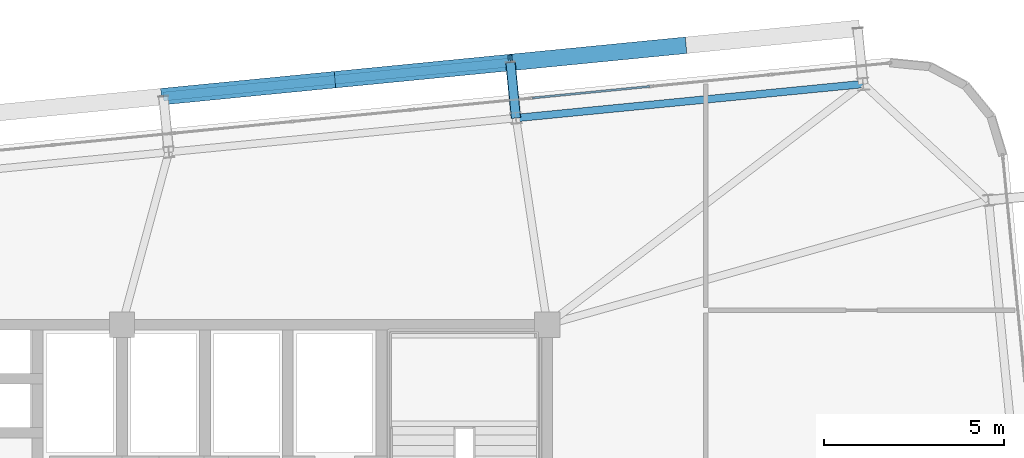
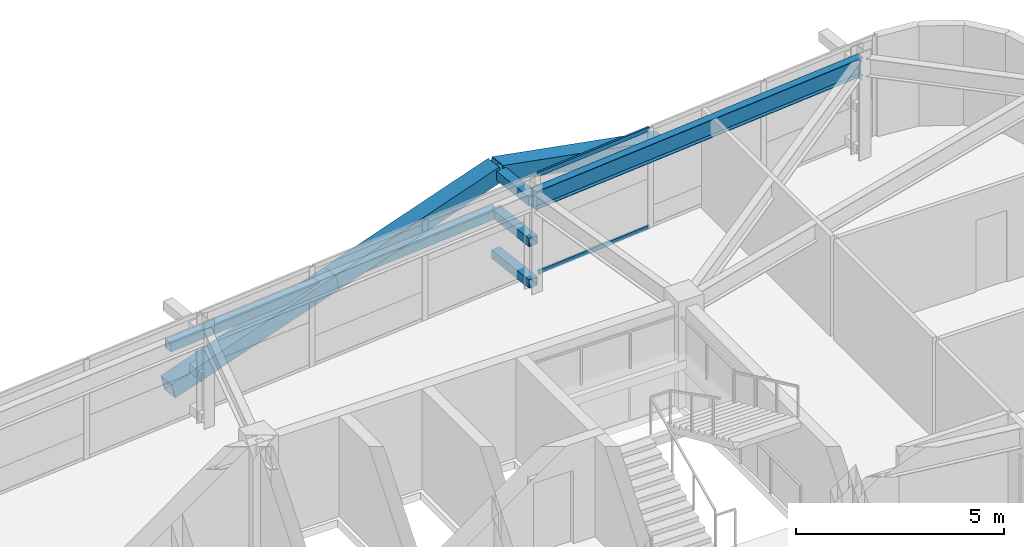
# One storey, part 32 of 53: 9 members, 1 beam, 1 element without a shape of its own.
"""IFC4 building model written with IfcOpenShell, lengths in metres."""

from ifc_helpers import new_model, si_unit, direction, frame, origin, origin_2d, place, context, subcontext, project, spatial, hollow_rectangle, i_section, extrude, source, transform, mapped, material, layer, layer_set, material_profile, profile_set, type_object, element, aggregate, save


model = new_model("IFC4")

# Units and contexts
model_context = context("Model", 3, precision=1e-05, world=origin(), true_north=direction((0.0, 1.0)))
body_context = subcontext(model_context, "Body", "Model", "MODEL_VIEW")
ifc_project = project(units=[si_unit("LENGTHUNIT", "METRE"), si_unit("AREAUNIT", "SQUARE_METRE"), si_unit("VOLUMEUNIT", "CUBIC_METRE"), si_unit("PLANEANGLEUNIT", "RADIAN"), si_unit("MASSUNIT", "GRAM", prefix="KILO")], contexts=[model_context])

# Site, building, storey
site_placement = place(None, origin())
site = spatial("IfcSite", under=ifc_project, at=site_placement, CompositionType="ELEMENT")
building_placement = place(site_placement, origin())
building = spatial("IfcBuilding", under=site, at=building_placement, Name="Taldren Reach Tower", CompositionType="ELEMENT")
storey_placement = place(building_placement, frame((0.0, 0.0, 71.39990234375)))
storey = spatial("IfcBuildingStorey", under=building, at=storey_placement, Name="L21", CompositionType="ELEMENT", Elevation=71.39990234375)

# Members
ifc_material_1 = material(Name="Steel Gr 450 (C450L0)", Category="steel")
ifc_material_profile_1 = material_profile(ifc_material_1, hollow_rectangle(XDim=0.27490234375, YDim=0.27490234375, WallThickness=0.00927734375, at=origin_2d()), Name="275x275x9.3SHS")
ifc_profile_set_1 = profile_set([ifc_material_profile_1], Name="Steel Gr 450 (C450L0)")
member_type_1 = type_object("IfcMemberType", Name="MB-TIE273", PredefinedType="STRUT", material=ifc_profile_set_1)
shared_shape_1 = source(origin(), body_context, "Body", "SweptSolid", [
    extrude(hollow_rectangle(XDim=0.27490234375, YDim=0.27490234375, WallThickness=0.00927734375, at=origin_2d()), origin(), (0.0, 0.0, 1.0), 1.5498046875),
])
member_1_placement = place(storey_placement, frame((50.132080078125, 37.7353515625, 2.650146484375), z_axis=(-0.097663201064, 0.995219523099, 0.0), x_axis=(-0.995219523099, -0.097663201064, 0.0)))
element("IfcMember", 1, at=member_1_placement, inside=storey, type_object=member_type_1, Name="Exoskeleton diaphragm tie strut B2-N5 L21", PredefinedType="STRUT", context=body_context, shape_type="MappedRepresentation", body=[
    mapped(shared_shape_1, transform((0.0, 0.0, 0.0), scale=1.0)),
])
ifc_material_2 = material(Name="Steel Gr 350 (C350L0)", Category="steel")
ifc_material_profile_2 = material_profile(ifc_material_2, hollow_rectangle(XDim=0.25, YDim=0.25, WallThickness=0.010009765625, at=origin_2d()), Name="250x250x10.0SHS")
ifc_profile_set_2 = profile_set([ifc_material_profile_2], Name="Steel Gr 350 (C350L0)")
member_type_2 = type_object("IfcMemberType", Name="MB-POST250", PredefinedType="POST", material=ifc_profile_set_2)
shared_shape_2 = source(origin(), body_context, "Body", "SweptSolid", [
    extrude(hollow_rectangle(XDim=0.25, YDim=0.25, WallThickness=0.010009765625, at=origin_2d()), origin(), (0.0, 0.0, 1.0), 1.5498046875),
])
for number, where, z_axis, x_axis, name in (
    (2, (50.132080078125, 37.7353515625, 0.22021484375), (-0.097663201064, 0.995219523099, 0.0), (-0.995219523099, -0.097663201064, 0.0), "Exoskeleton base diaphragm tie strut B2-N5 L21"),
    (3, (50.132080078125, 37.7353515625, 1.43505859375), (-0.097663201064, 0.995219523099, 0.0), (-0.995219523099, -0.097663201064, 0.0), "Exoskeleton mid-tier diaphragm tie B2-N5 L21"),
):
    element("IfcMember", number, at=place(storey_placement, frame(where, z_axis=z_axis, x_axis=x_axis)), inside=storey, type_object=member_type_2, Name=name, PredefinedType="POST", context=body_context, shape_type="MappedRepresentation", body=[
        mapped(shared_shape_2, transform((0.0, 0.0, 0.0), scale=1.0)),
    ])

# Beam
ifc_material_3 = material(Name="Steel Gr 350 (350PLUS)", Category="steel")
ifc_material_profile_3 = material_profile(ifc_material_3, i_section(OverallWidth=0.208984375, OverallDepth=0.528076171875, WebThickness=0.009521484375, FlangeThickness=0.01318359375, at=origin_2d()), Name="530UB82.0")
ifc_profile_set_3 = profile_set([ifc_material_profile_3], Name="Steel Gr 350 (350PLUS)")
beam_type = type_object("IfcBeamType", Name="SP-UB530B", PredefinedType="SPANDREL", material=ifc_profile_set_3)
shared_shape_3 = source(origin(), body_context, "Body", "SweptSolid", [
    extrude(i_section(OverallWidth=0.208984375, OverallDepth=0.528076171875, WebThickness=0.009521484375, FlangeThickness=0.01318359375, at=origin_2d()), origin(), (0.0, 0.0, 1.0), 9.679931640625),
])
beam_placement = place(storey_placement, frame((59.765869140625, 38.679931640625, 2.666015625), z_axis=(-0.995227612658, -0.097580730699, 0.0), x_axis=(0.097580730699, -0.995227612658, 0.0)))
element("IfcBeam", 4, at=beam_placement, inside=storey, type_object=beam_type, Name="Perimeter spandrel B2 N6-N5 L21", PredefinedType="SPANDREL", context=body_context, shape_type="MappedRepresentation", body=[
    mapped(shared_shape_3, transform((0.0, 0.0, 0.0), scale=1.0)),
])

# Members
ifc_material_profile_4 = material_profile(ifc_material_1, hollow_rectangle(XDim=0.4599609375, YDim=0.4599609375, WallThickness=0.01611328125, at=origin_2d()), Name="460x460x16.0SHS")
ifc_profile_set_4 = profile_set([ifc_material_profile_4], Name="Steel Gr 450 (C450L0)")
member_type_3 = type_object("IfcMemberType", Name="MB-EXO457", PredefinedType="BRACE", material=ifc_profile_set_4)
shared_shape_4 = source(origin(), body_context, "Body", "SweptSolid", [
    extrude(hollow_rectangle(XDim=0.4599609375, YDim=0.4599609375, WallThickness=0.01611328125, at=origin_2d()), origin(), (0.0, 0.0, 1.0), 4.990234375),
])
for number, where, z_axis, x_axis, name in (
    (5, (40.346923828125, 38.333251953125, 0.22021484375), (0.965282554799, 0.094669120301, 0.243448859234), (-0.097605711627, 0.995225162995, 0.0), "Exoskeleton Diagrid Brace B2-N4 L21"),
    (6, (45.163818359375, 38.8056640625, 1.43505859375), (0.965275526283, 0.094619506732, 0.243496010862), (-0.097555749586, 0.995230061706, 0.0), "Exoskeleton Diagrid Brace B2-N4 L21"),
    (7, (54.797607421875, 39.750244140625, 1.43505859375), (-0.965271056716, -0.094667992638, 0.243494883389), (0.097605711627, -0.995225162995, 0.0), "Exoskeleton Diagrid Brace B2-N5 L21"),
):
    element("IfcMember", number, at=place(storey_placement, frame(where, z_axis=z_axis, x_axis=x_axis)), inside=storey, type_object=member_type_3, Name=name, PredefinedType="BRACE", context=body_context, shape_type="MappedRepresentation", body=[
        mapped(shared_shape_4, transform((0.0, 0.0, 0.0), scale=1.0)),
    ])
shared_shape_5 = source(origin(), body_context, "Body", "SweptSolid", [
    extrude(hollow_rectangle(XDim=0.25, YDim=0.25, WallThickness=0.010009765625, at=origin_2d()), origin(), (0.0, 0.0, 1.0), 9.679931640625),
])
member_2_placement = place(storey_placement, frame((40.346923828125, 38.333251953125, 1.43505859375), z_axis=(0.995227612658, 0.097580730699, 0.0), x_axis=(-0.097580730699, 0.995227612658, 0.0)))
element("IfcMember", 8, at=member_2_placement, inside=storey, type_object=member_type_2, Name="Exoskeleton mid-height ring chord B2-N4 L21", PredefinedType="POST", context=body_context, shape_type="MappedRepresentation", body=[
    mapped(shared_shape_5, transform((0.0, 0.0, 0.0), scale=1.0)),
])

# Curtain wall, members
ifc_material_4 = material(Name="Aluminium and Low-E Glass Unitised System", Category="aluminium")
ifc_layer = layer(ifc_material_4, 0.159912109375)
ifc_layer_set = layer_set([ifc_layer], Name="Aluminium and Low-E Glass Unitised System")
curtain_wall_type = type_object("IfcCurtainWallType", Name="CW-SYS-3", PredefinedType="NOTDEFINED", material=ifc_layer_set)
curtain_wall_placement = place(storey_placement, origin())
curtain_wall = element("IfcCurtainWall", 9, at=curtain_wall_placement, inside=storey, type_object=curtain_wall_type, Name="Unitised curtain wall CW-L21-N", PredefinedType="NOTDEFINED")
ifc_material_5 = material(Name="Anodised Aluminium 6063-T6", Category="aluminium")
ifc_material_profile_5 = material_profile(ifc_material_5, hollow_rectangle(XDim=0.054931640625, YDim=0.1201171875, WallThickness=0.0029296875, at=origin_2d()), Name="ALU-120x55x3RHS")
ifc_profile_set_5 = profile_set([ifc_material_profile_5], Name="Anodised Aluminium 6063-T6")
member_type_4 = type_object("IfcMemberType", Name="CW-TRN-135", PredefinedType="USERDEFINED", material=ifc_profile_set_5)
shared_shape_6 = source(origin(), body_context, "Body", "SweptSolid", [
    extrude(hollow_rectangle(XDim=0.054931640625, YDim=0.1201171875, WallThickness=0.0029296875, at=origin_2d()), origin(), (0.0, 0.0, 1.0), 3.268310546875),
])
member_3_placement = place(storey_placement, frame((53.844970703125, 38.61181640625, 0.027587890625), z_axis=(-0.99522980512, -0.097558367146, 0.0), x_axis=(0.097558367146, -0.99522980512, 0.0)))
member_3 = element("IfcMember", 10, at=member_3_placement, type_object=member_type_4, Name="CW-3 transom 3.1", ObjectType="TRANSOM", PredefinedType="USERDEFINED", context=body_context, shape_type="MappedRepresentation", body=[
    mapped(shared_shape_6, transform((0.0, 0.0, 0.0), scale=1.0)),
])
member_4_placement = place(storey_placement, frame((53.844970703125, 38.61181640625, 2.902587890625), z_axis=(-0.99522980512, -0.097558367146, 0.0), x_axis=(0.097558367146, -0.99522980512, 0.0)))
member_4 = element("IfcMember", 11, at=member_4_placement, type_object=member_type_4, Name="CW-3 transom 3.2", ObjectType="TRANSOM", PredefinedType="USERDEFINED", context=body_context, shape_type="MappedRepresentation", body=[
    mapped(shared_shape_6, transform((0.0, 0.0, 0.0), scale=1.0)),
])
aggregate(curtain_wall, [member_3, member_4])

save(model, "model.ifc")
